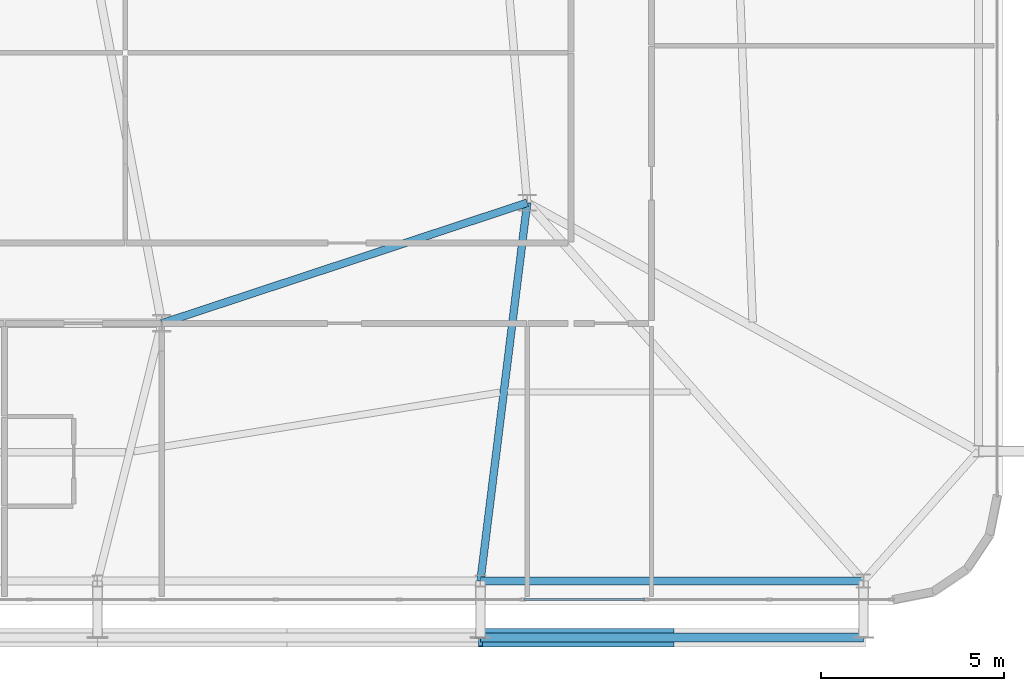
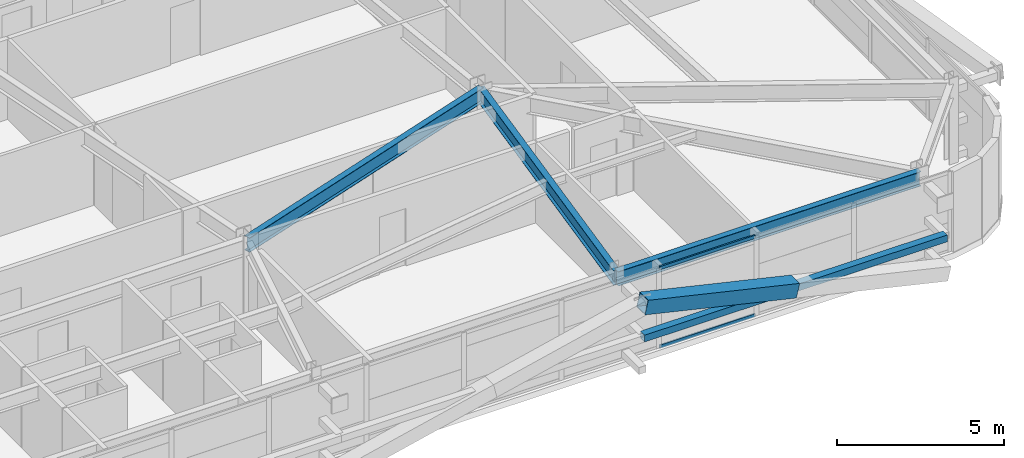
# One storey, part 22 of 59: 4 members, 3 beams, 1 element without a shape of its own.
"""IFC4 building model written with IfcOpenShell, lengths in metres."""

import ifcopenshell
import ifcopenshell.guid

model = None  # the IFC model being written
_history = None  # IfcOwnerHistory: only IFC2X3 demands one
_inside = {}  # id of a spatial element -> (the spatial element, [elements in it])
_under = {}  # id of a project, library or spatial element -> (it, [spatial elements below it])
_declared = {}  # id of a project -> (the project, [libraries it declares])
_typed = {}  # id of a type object -> (the type object, [elements of that type])
_made_of = {}  # id of a material, layer set ... -> (it, [elements and type objects made of it])


def new_model(schema):
    """Start an empty IFC model of exactly this schema.

    Asked for "IFC4X3", IfcOpenShell would pick the latest addendum, in which some entities
    have other attributes; the version numbers below select the first issue.
    IFC2X3 requires an IfcOwnerHistory on every rooted entity: one is made here for all.
    """
    global model, _history
    if schema == "IFC4X3":
        model = ifcopenshell.file(schema_version=(4, 3, 0, 0))
    else:
        model = ifcopenshell.file(schema=schema)
    _inside.clear()
    _under.clear()
    _declared.clear()
    _typed.clear()
    _made_of.clear()
    _history = None
    if model.schema == "IFC2X3":
        org = make("IfcOrganization", Name="unknown")
        user = make(
            "IfcPersonAndOrganization",
            ThePerson=make("IfcPerson", FamilyName="unknown"),
            TheOrganization=org,
        )
        app = make(
            "IfcApplication",
            ApplicationDeveloper=org,
            Version="unknown",
            ApplicationFullName="unknown",
            ApplicationIdentifier="unknown",
        )
        _history = make(
            "IfcOwnerHistory",
            OwningUser=user,
            OwningApplication=app,
            ChangeAction="ADDED",
            CreationDate=0,
        )
    return model


def make(cls, **values):
    """One entity of the class cls with the attributes given. An attribute that is None is left unset."""
    return model.create_entity(
        cls, **{name: value for name, value in values.items() if value is not None}
    )


def rooted(cls, **values):
    """An entity with a GlobalId (a new one), such as an element, a storey or a relation."""
    return make(cls, GlobalId=ifcopenshell.guid.new(), OwnerHistory=_history, **values)


def si_unit(unit_type, name, prefix=None):
    """IfcSIUnit, for example si_unit("LENGTHUNIT", "METRE", prefix="MILLI")."""
    return make("IfcSIUnit", UnitType=unit_type, Prefix=prefix, Name=name)


def assignment(units):
    """IfcUnitAssignment: the units of a project."""
    return None if units is None else make("IfcUnitAssignment", Units=units)


def point(xyz):
    """IfcCartesianPoint."""
    return None if xyz is None else make("IfcCartesianPoint", Coordinates=xyz)


def direction(xyz):
    """IfcDirection."""
    return None if xyz is None else make("IfcDirection", DirectionRatios=xyz)


def frame(location, z_axis=None, x_axis=None):
    """IfcAxis2Placement3D, a coordinate frame: its origin and axes. An axis left out is left unset."""
    return make(
        "IfcAxis2Placement3D",
        Location=point(location),
        Axis=direction(z_axis),
        RefDirection=direction(x_axis),
    )


def frame_2d(location, x_axis=None):
    """IfcAxis2Placement2D, a coordinate frame in the plane: its origin and x axis."""
    return make(
        "IfcAxis2Placement2D", Location=point(location), RefDirection=direction(x_axis)
    )


def origin():
    """The frame at (0, 0, 0) with its axes left unset."""
    return frame((0.0, 0.0, 0.0))


def origin_2d():
    """The frame at (0, 0) in the plane with its x axis left unset."""
    return frame_2d((0.0, 0.0))


def place(relative_to, where):
    """IfcLocalPlacement: puts the frame where relative to a parent placement (None: the world)."""
    return make(
        "IfcLocalPlacement", PlacementRelTo=relative_to, RelativePlacement=where
    )


def context(
    kind, dimensions, precision=None, world=None, true_north=None, identifier=None
):
    """IfcGeometricRepresentationContext, for example the 3D "Model" context."""
    return make(
        "IfcGeometricRepresentationContext",
        ContextIdentifier=identifier,
        ContextType=kind,
        CoordinateSpaceDimension=dimensions,
        Precision=precision,
        WorldCoordinateSystem=world,
        TrueNorth=true_north,
    )


def subcontext(parent, identifier, kind, view, scale=None):
    """IfcGeometricRepresentationSubContext, for example "Body" below "Model"."""
    return make(
        "IfcGeometricRepresentationSubContext",
        ContextIdentifier=identifier,
        ContextType=kind,
        ParentContext=parent,
        TargetScale=scale,
        TargetView=view,
    )


def project(units=None, contexts=None):
    """IfcProject with its units and contexts."""
    return rooted(
        "IfcProject",
        Name="project",
        RepresentationContexts=contexts,
        UnitsInContext=assignment(units),
    )


def spatial(cls, under=None, at=None, **own):
    """A site, building, storey or space (cls), placed at a placement, below another one or the project."""
    s = rooted(cls, ObjectPlacement=at, **own)
    if under is not None:
        _under.setdefault(under.id(), (under, []))[1].append(s)
    return s


def profile(cls, at=None, kind="AREA", **sizes):
    """A parametric profile (cls). Its sizes go by their IFC names, for example OverallWidth=200.0."""
    return make(cls, ProfileType=kind, Position=at, **sizes)


def hollow_rectangle(**sizes):
    """IfcRectangleHollowProfileDef."""
    return profile("IfcRectangleHollowProfileDef", **sizes)


def i_section(**sizes):
    """IfcIShapeProfileDef."""
    return profile("IfcIShapeProfileDef", **sizes)


def extrude(swept, where, along, depth):
    """IfcExtrudedAreaSolid: the profile swept, set in the frame where, extruded along a direction by depth."""
    return make(
        "IfcExtrudedAreaSolid",
        SweptArea=swept,
        Position=where,
        ExtrudedDirection=direction(along),
        Depth=depth,
    )


def shape(context_of_items, identifier, shape_type, items):
    """IfcShapeRepresentation: the items that make up one representation, for example the "Body"."""
    return make(
        "IfcShapeRepresentation",
        ContextOfItems=context_of_items,
        RepresentationIdentifier=identifier,
        RepresentationType=shape_type,
        Items=items,
    )


def source(mapping_origin, context_of_items, identifier, shape_type, items):
    """IfcRepresentationMap: a shape defined once, which mapped items show again and again."""
    return make(
        "IfcRepresentationMap",
        MappingOrigin=mapping_origin,
        MappedRepresentation=shape(context_of_items, identifier, shape_type, items),
    )


def transform(
    local_origin,
    x_axis=None,
    y_axis=None,
    z_axis=None,
    scale=None,
    scale2=None,
    scale3=None,
    uniform=True,
):
    """IfcCartesianTransformationOperator3D, or its non-uniform kind. x_axis, y_axis, z_axis: its Axis1, 2, 3."""
    if uniform:
        return make(
            "IfcCartesianTransformationOperator3D",
            Axis1=direction(x_axis),
            Axis2=direction(y_axis),
            LocalOrigin=point(local_origin),
            Scale=scale,
            Axis3=direction(z_axis),
        )
    return make(
        "IfcCartesianTransformationOperator3DnonUniform",
        Axis1=direction(x_axis),
        Axis2=direction(y_axis),
        LocalOrigin=point(local_origin),
        Scale=scale,
        Axis3=direction(z_axis),
        Scale2=scale2,
        Scale3=scale3,
    )


def mapped(mapping_source, mapping_target):
    """IfcMappedItem: shows the shape of a source again, moved by a transform."""
    return make(
        "IfcMappedItem", MappingSource=mapping_source, MappingTarget=mapping_target
    )


def material(Name=None, Category=None):
    """IfcMaterial."""
    return make("IfcMaterial", Name=Name, Category=Category)


def layer(
    of_material, thickness, ventilated=None, Name=None, Category=None, Priority=None
):
    """IfcMaterialLayer: one layer of a wall or slab, of a material (None: an air gap)."""
    return make(
        "IfcMaterialLayer",
        Material=of_material,
        LayerThickness=thickness,
        IsVentilated=ventilated,
        Name=Name,
        Category=Category,
        Priority=Priority,
    )


def layer_set(layers, Name=None):
    """IfcMaterialLayerSet."""
    return make("IfcMaterialLayerSet", MaterialLayers=layers, LayerSetName=Name)


def material_profile(
    of_material, cross_section, Name=None, Category=None, Priority=None
):
    """IfcMaterialProfile: a cross section and its material."""
    return make(
        "IfcMaterialProfile",
        Name=Name,
        Material=of_material,
        Profile=cross_section,
        Priority=Priority,
        Category=Category,
    )


def profile_set(profiles, Name=None, composite=None):
    """IfcMaterialProfileSet."""
    return make(
        "IfcMaterialProfileSet",
        Name=Name,
        MaterialProfiles=profiles,
        CompositeProfile=composite,
    )


def made_of(thing, what):
    """Note that an element or type object is made of a material, layer set ...; save() writes the relation."""
    if what is not None:
        _made_of.setdefault(what.id(), (what, []))[1].append(thing)
    return thing


def type_object(cls, material=None, **own):
    """A type object (cls), such as IfcWallType, which elements share."""
    return made_of(rooted(cls, **own), material)


def element(
    cls,
    number,
    at=None,
    inside=None,
    cuts=None,
    type_object=None,
    material=None,
    context=None,
    identifier="Body",
    shape_type=None,
    held_by="IfcProductDefinitionShape",
    body=None,
    shapes=None,
    **own,
):
    """One element of the class cls, such as IfcWall. Its Tag is "e" and its number.

    at: its placement. inside: the storey or other place that contains it. cuts: it is an
    opening in that element (IfcRelVoidsElement). A single representation is given by context,
    identifier, shape_type and body (its items); several are given by shapes. held_by: the class
    of the entity that holds the representations. save() writes the other relations.
    """
    e = rooted(cls, Tag="e%d" % number, ObjectPlacement=at, **own)
    if body is not None:
        shapes = [shape(context, identifier, shape_type, body)]
    if shapes is not None:
        e.Representation = make(held_by, Representations=shapes)
    if inside is not None:
        _inside.setdefault(inside.id(), (inside, []))[1].append(e)
    if cuts is not None:
        rooted(
            "IfcRelVoidsElement", RelatingBuildingElement=cuts, RelatedOpeningElement=e
        )
    if type_object is not None:
        _typed.setdefault(type_object.id(), (type_object, []))[1].append(e)
    return made_of(e, material)


def aggregate(whole, parts):
    """IfcRelAggregates: a whole, such as a stair, and the parts it consists of."""
    return rooted("IfcRelAggregates", RelatingObject=whole, RelatedObjects=parts)


def save(model, path):
    """Write the relations noted so far, then the file.

    IfcRelAggregates (storeys below a building ...), IfcRelContainedInSpatialStructure (elements
    in a storey), IfcRelDefinesByType, IfcRelAssociatesMaterial and IfcRelDeclares: one each for
    every whole, place, type object, material and project.
    """
    for whole, parts in _under.values():
        aggregate(whole, parts)
    for where, things in _inside.values():
        rooted(
            "IfcRelContainedInSpatialStructure",
            RelatedElements=things,
            RelatingStructure=where,
        )
    for kind, things in _typed.values():
        rooted("IfcRelDefinesByType", RelatedObjects=things, RelatingType=kind)
    for what, things in _made_of.values():
        rooted("IfcRelAssociatesMaterial", RelatedObjects=things, RelatingMaterial=what)
    for by, libraries in _declared.values():
        rooted("IfcRelDeclares", RelatingContext=by, RelatedDefinitions=libraries)
    model.write(path)


model = new_model("IFC4")

# Units and contexts
model_context = context("Model", 3, precision=1e-05, world=origin(), true_north=direction((0.0, 1.0)))
body_context = subcontext(model_context, "Body", "Model", "MODEL_VIEW")
ifc_project = project(units=[si_unit("LENGTHUNIT", "METRE"), si_unit("AREAUNIT", "SQUARE_METRE"), si_unit("VOLUMEUNIT", "CUBIC_METRE"), si_unit("PLANEANGLEUNIT", "RADIAN"), si_unit("MASSUNIT", "GRAM", prefix="KILO")], contexts=[model_context])

# Site, building, storey
site_placement = place(None, origin())
site = spatial("IfcSite", under=ifc_project, at=site_placement, CompositionType="ELEMENT")
building_placement = place(site_placement, origin())
building = spatial("IfcBuilding", under=site, at=building_placement, Name="Taldren Reach Tower", CompositionType="ELEMENT")
storey_placement = place(building_placement, frame((0.0, 0.0, 45.14990234375)))
storey = spatial("IfcBuildingStorey", under=building, at=storey_placement, Name="L13", CompositionType="ELEMENT", Elevation=45.14990234375)

# Beams
ifc_material_1 = material(Name="Steel Gr 350 (350PLUS)", Category="steel")
ifc_material_profile_1 = material_profile(ifc_material_1, i_section(OverallWidth=0.208984375, OverallDepth=0.532958984375, WebThickness=0.01025390625, FlangeThickness=0.015625, at=origin_2d()), Name="530UB92.4")
ifc_profile_set_1 = profile_set([ifc_material_profile_1], Name="Steel Gr 350 (350PLUS)")
beam_type_1 = type_object("IfcBeamType", Name="BM-UB530A", PredefinedType="BEAM", material=ifc_profile_set_1)
shared_shape_1 = source(origin(), body_context, "Body", "SweptSolid", [
    extrude(i_section(OverallWidth=0.208984375, OverallDepth=0.532958984375, WebThickness=0.01025390625, FlangeThickness=0.015625, at=origin_2d()), origin(), (0.0, 0.0, 1.0), 10.530517578125),
])
beam_1_placement = place(storey_placement, frame((42.0, 9.199951171875, 2.66357421875), z_axis=(0.949627269203, 0.313381635689, 0.0), x_axis=(-0.313381635689, 0.949627269203, 0.0)))
element("IfcBeam", 1, at=beam_1_placement, inside=storey, type_object=beam_type_1, Name="Core-spine girder L13-SP12", PredefinedType="BEAM", context=body_context, shape_type="MappedRepresentation", body=[
    mapped(shared_shape_1, transform((0.0, 0.0, 0.0), scale=1.0)),
])
ifc_material_profile_2 = material_profile(ifc_material_1, i_section(OverallWidth=0.208984375, OverallDepth=0.528076171875, WebThickness=0.009521484375, FlangeThickness=0.01318359375, at=origin_2d()), Name="530UB82.0")
ifc_profile_set_2 = profile_set([ifc_material_profile_2], Name="Steel Gr 350 (350PLUS)")
beam_type_2 = type_object("IfcBeamType", Name="SP-UB530B", PredefinedType="SPANDREL", material=ifc_profile_set_2)
shared_shape_2 = source(origin(), body_context, "Body", "SweptSolid", [
    extrude(i_section(OverallWidth=0.208984375, OverallDepth=0.528076171875, WebThickness=0.009521484375, FlangeThickness=0.01318359375, at=origin_2d()), origin(), (0.0, 0.0, 1.0), 10.47998046875),
])
beam_2_placement = place(storey_placement, frame((50.719970703125, 2.14990234375, 2.666015625), z_axis=(1.0, 0.0, 0.0), x_axis=(0.0, 1.0, 0.0)))
element("IfcBeam", 2, at=beam_2_placement, inside=storey, type_object=beam_type_2, Name="Perimeter spandrel B1 S5-S6 L13", PredefinedType="SPANDREL", context=body_context, shape_type="MappedRepresentation", body=[
    mapped(shared_shape_2, transform((0.0, 0.0, 0.0), scale=1.0)),
])
shared_shape_3 = source(origin(), body_context, "Body", "SweptSolid", [
    extrude(i_section(OverallWidth=0.208984375, OverallDepth=0.532958984375, WebThickness=0.01025390625, FlangeThickness=0.015625, at=origin_2d()), origin(), (0.0, 0.0, 1.0), 10.428955078125),
])
beam_3_placement = place(storey_placement, frame((52.0, 12.5, 2.66357421875), z_axis=(-0.122738080664, -0.992439098159, 0.0), x_axis=(0.992439098159, -0.122738080664, 0.0)))
element("IfcBeam", 3, at=beam_3_placement, inside=storey, type_object=beam_type_1, Name="Primary floor girder B1-S5 L13", PredefinedType="BEAM", context=body_context, shape_type="MappedRepresentation", body=[
    mapped(shared_shape_3, transform((0.0, 0.0, 0.0), scale=1.0)),
])

# Members
ifc_material_2 = material(Name="Steel Gr 450 (C450L0)", Category="steel")
ifc_material_profile_3 = material_profile(ifc_material_2, hollow_rectangle(XDim=0.510009765625, YDim=0.510009765625, WallThickness=0.02001953125, at=origin_2d()), Name="510x510x20.0SHS")
ifc_profile_set_3 = profile_set([ifc_material_profile_3], Name="Steel Gr 450 (C450L0)")
member_type_1 = type_object("IfcMemberType", Name="MB-EXO508", PredefinedType="BRACE", material=ifc_profile_set_3)
shared_shape_4 = source(origin(), body_context, "Body", "SweptSolid", [
    extrude(hollow_rectangle(XDim=0.510009765625, YDim=0.510009765625, WallThickness=0.02001953125, at=origin_2d()), origin(), (0.0, 0.0, 1.0), 5.37890625),
])
member_1_placement = place(storey_placement, frame((55.9599609375, 0.60009765625, 1.43505859375), z_axis=(-0.97415197996, 0.0, 0.225893603143), x_axis=(0.0, -1.0, 0.0)))
element("IfcMember", 4, at=member_1_placement, inside=storey, type_object=member_type_1, Name="Exoskeleton Diagrid Brace B1-S5 L13", PredefinedType="BRACE", context=body_context, shape_type="MappedRepresentation", body=[
    mapped(shared_shape_4, transform((0.0, 0.0, 0.0), scale=1.0)),
])
ifc_material_3 = material(Name="Steel Gr 350 (C350L0)", Category="steel")
ifc_material_profile_4 = material_profile(ifc_material_3, hollow_rectangle(XDim=0.25, YDim=0.25, WallThickness=0.010009765625, at=origin_2d()), Name="250x250x10.0SHS")
ifc_profile_set_4 = profile_set([ifc_material_profile_4], Name="Steel Gr 350 (C350L0)")
member_type_2 = type_object("IfcMemberType", Name="MB-POST250", PredefinedType="POST", material=ifc_profile_set_4)
shared_shape_5 = source(origin(), body_context, "Body", "SweptSolid", [
    extrude(hollow_rectangle(XDim=0.25, YDim=0.25, WallThickness=0.010009765625, at=origin_2d()), origin(), (0.0, 0.0, 1.0), 10.47998046875),
])
member_2_placement = place(storey_placement, frame((50.719970703125, 0.60009765625, 1.43505859375), z_axis=(1.0, 0.0, 0.0), x_axis=(0.0, 1.0, 0.0)))
element("IfcMember", 5, at=member_2_placement, inside=storey, type_object=member_type_2, Name="Exoskeleton mid-height ring chord B1-S5 L13", PredefinedType="POST", context=body_context, shape_type="MappedRepresentation", body=[
    mapped(shared_shape_5, transform((0.0, 0.0, 0.0), scale=1.0)),
])

# Curtain wall, members
ifc_material_4 = material(Name="Aluminium and Low-E Glass Unitised System", Category="aluminium")
ifc_layer = layer(ifc_material_4, 0.159912109375)
ifc_layer_set = layer_set([ifc_layer], Name="Aluminium and Low-E Glass Unitised System")
curtain_wall_type = type_object("IfcCurtainWallType", Name="CW-SYS-2", PredefinedType="NOTDEFINED", material=ifc_layer_set)
curtain_wall_placement = place(storey_placement, origin())
curtain_wall = element("IfcCurtainWall", 6, at=curtain_wall_placement, inside=storey, type_object=curtain_wall_type, Name="Unitised curtain wall CW-L13-S", PredefinedType="NOTDEFINED")
ifc_material_5 = material(Name="Anodised Aluminium 6063-T6", Category="aluminium")
ifc_material_profile_5 = material_profile(ifc_material_5, hollow_rectangle(XDim=0.054931640625, YDim=0.1201171875, WallThickness=0.0029296875, at=origin_2d()), Name="ALU-120x55x3RHS")
ifc_profile_set_5 = profile_set([ifc_material_profile_5], Name="Anodised Aluminium 6063-T6")
member_type_3 = type_object("IfcMemberType", Name="CW-TRN-135", PredefinedType="USERDEFINED", material=ifc_profile_set_5)
shared_shape_6 = source(origin(), body_context, "Body", "SweptSolid", [
    extrude(hollow_rectangle(XDim=0.054931640625, YDim=0.1201171875, WallThickness=0.0029296875, at=origin_2d()), origin(), (0.0, 0.0, 1.0), 3.31005859375),
])
member_3_placement = place(storey_placement, frame((51.907470703125, 1.639892578125, 0.027587890625), z_axis=(1.0, 0.0, 0.0), x_axis=(0.0, 1.0, 0.0)))
member_3 = element("IfcMember", 7, at=member_3_placement, type_object=member_type_3, Name="CW-2 transom 14.1", ObjectType="TRANSOM", PredefinedType="USERDEFINED", context=body_context, shape_type="MappedRepresentation", body=[
    mapped(shared_shape_6, transform((0.0, 0.0, 0.0), scale=1.0)),
])
member_4_placement = place(storey_placement, frame((51.907470703125, 1.639892578125, 2.902587890625), z_axis=(1.0, 0.0, 0.0), x_axis=(0.0, 1.0, 0.0)))
member_4 = element("IfcMember", 8, at=member_4_placement, type_object=member_type_3, Name="CW-2 transom 14.2", ObjectType="TRANSOM", PredefinedType="USERDEFINED", context=body_context, shape_type="MappedRepresentation", body=[
    mapped(shared_shape_6, transform((0.0, 0.0, 0.0), scale=1.0)),
])
aggregate(curtain_wall, [member_3, member_4])

save(model, "model.ifc")
